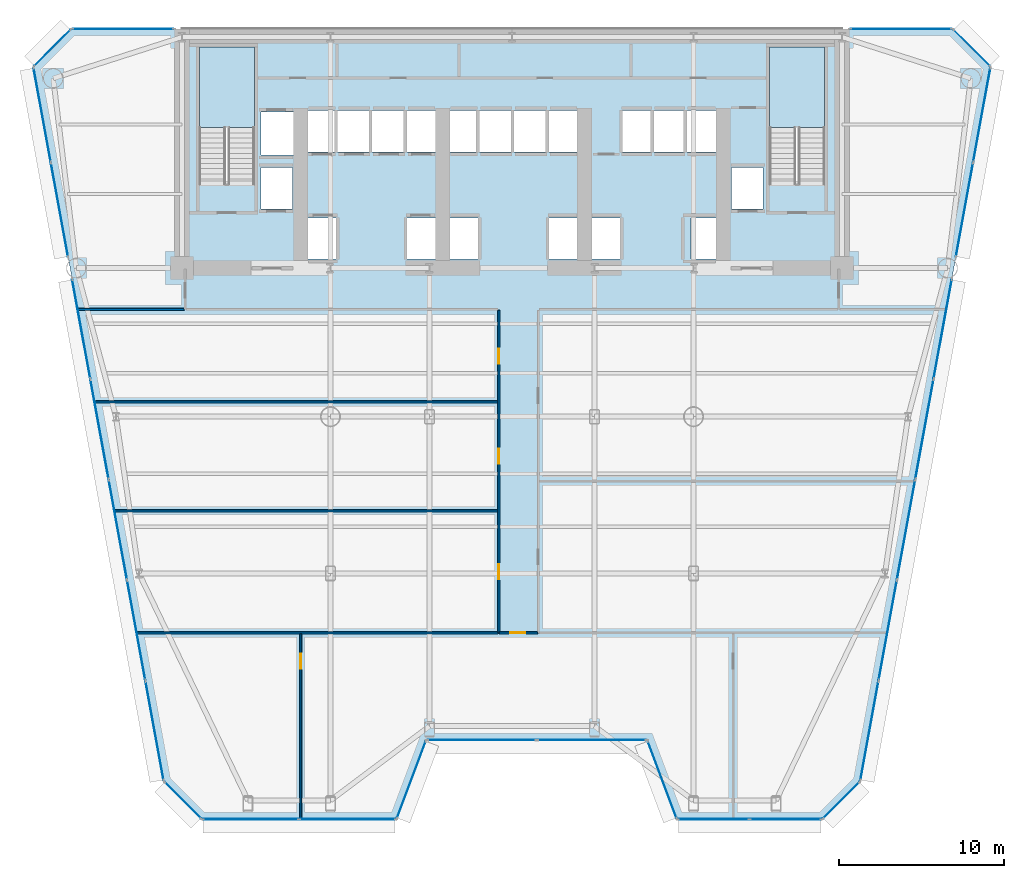
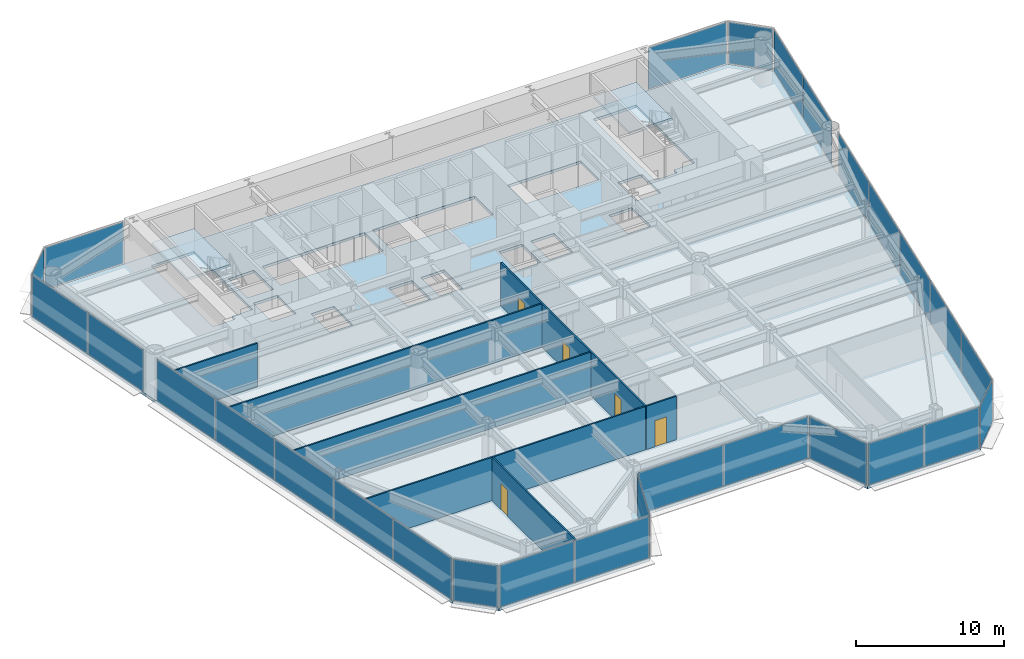
# One storey, part 7 of 14: 28 plates, 7 walls, 5 doors, 3 slabs, 5 openings, 17 elements without a shape of their own.
"""IFC4 building model written with IfcOpenShell, lengths in metres."""

from ifc_helpers import new_model, si_unit, direction, frame, frame_2d, origin, origin_2d, place, context, subcontext, project, spatial, polyline, rectangle, outline, extrude, source, transform, mapped, material, layer, layer_set, type_object, element, fill, aggregate, save


model = new_model("IFC4")

# Units and contexts
model_context = context("Model", 3, precision=1e-05, world=origin(), true_north=direction((0.0, 1.0)))
body_context = subcontext(model_context, "Body", "Model", "MODEL_VIEW")
ifc_project = project(units=[si_unit("LENGTHUNIT", "METRE"), si_unit("AREAUNIT", "SQUARE_METRE"), si_unit("VOLUMEUNIT", "CUBIC_METRE"), si_unit("PLANEANGLEUNIT", "RADIAN"), si_unit("MASSUNIT", "GRAM", prefix="KILO")], contexts=[model_context])

# Site, building, storey
site_placement = place(None, origin())
site = spatial("IfcSite", under=ifc_project, at=site_placement, CompositionType="ELEMENT")
building_placement = place(site_placement, origin())
building = spatial("IfcBuilding", under=site, at=building_placement, Name="Vaeldorn Concourse Tower", CompositionType="ELEMENT")
storey_placement = place(building_placement, frame((0.0, 0.0, 68.199951171875)))
storey = spatial("IfcBuildingStorey", under=building, at=storey_placement, Name="L17", CompositionType="ELEMENT", Elevation=68.199951171875)

# Stair, slab
ifc_material_1 = material(Name="Precast concrete C40/50", Category="concrete")
stair_type = type_object("IfcStairType", Name="STR-DOG-24x158", PredefinedType="HALF_TURN_STAIR", material=ifc_material_1)
stair_1_placement = place(storey_placement, origin())
stair_1 = element("IfcStair", 1, at=stair_1_placement, inside=storey, type_object=stair_type, Name="L17 West Core Exit Stair ST-1", PredefinedType="HALF_TURN_STAIR")
ifc_material_2 = material(Name="Concrete C40/50", Category="concrete")
ifc_layer_1 = layer(ifc_material_2, 0.199951171875)
ifc_layer_set_1 = layer_set([ifc_layer_1], Name="Concrete C40/50")
slab_type_1 = type_object("IfcSlabType", Name="SL-STAIR-LANDING", PredefinedType="LANDING", material=ifc_layer_set_1)
slab_1_placement = place(storey_placement, frame((0.0, 0.0, 1.699951171875)))
slab_1 = element("IfcSlab", 2, at=slab_1_placement, type_object=slab_type_1, Name="ST-1 landing 1", PredefinedType="LANDING", context=body_context, shape_type="SweptSolid", body=[
    extrude(outline(polyline([(18.39990234375, 45.010009765625), (18.39990234375, 49.89990234375), (15.050048828125, 49.89990234375), (15.050048828125, 45.010009765625), (18.39990234375, 45.010009765625)])), origin(), (0.0, 0.0, 1.0), 0.2001953125),
])
aggregate(stair_1, [slab_1])

stair_2_placement = place(storey_placement, origin())
stair_2 = element("IfcStair", 3, at=stair_2_placement, inside=storey, type_object=stair_type, Name="L17 East Core Exit Stair ST-2", PredefinedType="HALF_TURN_STAIR")
slab_2_placement = place(storey_placement, frame((0.0, 0.0, 1.699951171875)))
slab_2 = element("IfcSlab", 4, at=slab_2_placement, type_object=slab_type_1, Name="ST-2 landing 1", PredefinedType="LANDING", context=body_context, shape_type="SweptSolid", body=[
    extrude(outline(polyline([(52.949951171875, 45.010009765625), (52.949951171875, 49.89990234375), (49.60009765625, 49.89990234375), (49.60009765625, 45.010009765625), (52.949951171875, 45.010009765625)])), origin(), (0.0, 0.0, 1.0), 0.2001953125),
])
aggregate(stair_2, [slab_2])

# Slab
ifc_layer_2 = layer(ifc_material_2, 0.219970703125)
ifc_layer_set_2 = layer_set([ifc_layer_2], Name="Concrete C40/50")
slab_type_2 = type_object("IfcSlabType", Name="SL-TYP-220", PredefinedType="FLOOR", material=ifc_layer_set_2)
slab_3_placement = place(storey_placement, frame((0.0, 0.0, -0.219970703125)))
element("IfcSlab", 5, at=slab_3_placement, inside=storey, type_object=slab_type_2, Name="Structural Floor Slab L17", PredefinedType="FLOOR", context=body_context, shape_type="SweptSolid", body=[
    extrude(outline(polyline([(15.2021484375, 3.10791015625), (27.0, 3.10791015625), (28.800048828125, 7.907958984375), (42.199951171875, 7.907958984375), (44.0, 3.10791015625), (52.7978515625, 3.10791015625), (55.097900390625, 5.407958984375), (63.0, 48.699951171875), (60.699951171875, 51.0), (7.300048828125, 51.0), (5.0, 48.699951171875), (12.902099609375, 5.407958984375), (15.2021484375, 3.10791015625)]), holes=[polyline([(18.39990234375, 42.0), (18.39990234375, 49.89990234375), (15.050048828125, 49.89990234375), (15.050048828125, 41.60009765625), (16.800048828125, 41.60009765625), (16.800048828125, 42.0), (18.39990234375, 42.0)]), polyline([(52.949951171875, 42.0), (52.949951171875, 49.89990234375), (49.60009765625, 49.89990234375), (49.60009765625, 41.60009765625), (51.35009765625, 41.60009765625), (51.35009765625, 42.0), (52.949951171875, 42.0)]), polyline([(21.550048828125, 37.050048828125), (23.35009765625, 37.050048828125), (23.35009765625, 39.550048828125), (21.550048828125, 39.550048828125), (21.550048828125, 37.050048828125)]), polyline([(27.64990234375, 37.050048828125), (29.449951171875, 37.050048828125), (29.449951171875, 39.550048828125), (27.64990234375, 39.550048828125), (27.64990234375, 37.050048828125)]), polyline([(21.5, 43.550048828125), (29.5, 43.550048828125), (29.5, 46.050048828125), (21.5, 46.050048828125), (21.5, 43.550048828125)]), polyline([(30.14990234375, 37.050048828125), (31.949951171875, 37.050048828125), (31.949951171875, 39.550048828125), (30.14990234375, 39.550048828125), (30.14990234375, 37.050048828125)]), polyline([(36.25, 37.050048828125), (38.050048828125, 37.050048828125), (38.050048828125, 39.550048828125), (36.25, 39.550048828125), (36.25, 37.050048828125)]), polyline([(30.10009765625, 43.550048828125), (38.10009765625, 43.550048828125), (38.10009765625, 46.050048828125), (30.10009765625, 46.050048828125), (30.10009765625, 43.550048828125)]), polyline([(38.75, 37.050048828125), (40.550048828125, 37.050048828125), (40.550048828125, 39.550048828125), (38.75, 39.550048828125), (38.75, 37.050048828125)]), polyline([(44.85009765625, 37.050048828125), (46.64990234375, 37.050048828125), (46.64990234375, 39.550048828125), (44.85009765625, 39.550048828125), (44.85009765625, 37.050048828125)]), polyline([(40.699951171875, 43.550048828125), (46.39990234375, 43.550048828125), (46.39990234375, 46.050048828125), (40.699951171875, 46.050048828125), (40.699951171875, 43.550048828125)]), polyline([(18.800048828125, 43.35009765625), (20.800048828125, 43.35009765625), (20.800048828125, 45.949951171875), (18.800048828125, 45.949951171875), (18.800048828125, 43.35009765625)]), polyline([(18.800048828125, 40.10009765625), (20.699951171875, 40.10009765625), (20.699951171875, 42.60009765625), (18.800048828125, 42.60009765625), (18.800048828125, 40.10009765625)]), polyline([(47.300048828125, 40.10009765625), (49.199951171875, 40.10009765625), (49.199951171875, 42.60009765625), (47.300048828125, 42.60009765625), (47.300048828125, 40.10009765625)])]), origin(), (0.0, 0.0, 1.0), 0.219970703125),
])

# Curtain wall, plate
ifc_material_3 = material(Name="Anodised Bronze Aluminium", Category="aluminium")
ifc_layer_3 = layer(ifc_material_3, 0.219970703125)
ifc_layer_set_3 = layer_set([ifc_layer_3], Name="Anodised Bronze Aluminium")
curtain_wall_type = type_object("IfcCurtainWallType", Name="CW-SYS-01", PredefinedType="NOTDEFINED", material=ifc_layer_set_3)
curtain_wall_1_placement = place(storey_placement, origin())
curtain_wall_1 = element("IfcCurtainWall", 6, at=curtain_wall_1_placement, inside=storey, type_object=curtain_wall_type, Name="Unitised Curtain Wall CW-L17-E02-1", PredefinedType="NOTDEFINED")
ifc_material_4 = material(Name="Bronze Tinted Low-E Insulated Glass", Category="glass")
ifc_layer_4 = layer(ifc_material_4, 0.031982421875)
ifc_layer_set_4 = layer_set([ifc_layer_4], Name="Bronze Tinted Low-E Insulated Glass")
plate_type = type_object("IfcPlateType", Name="CWP-VISION-32", PredefinedType="CURTAIN_PANEL", material=ifc_layer_set_4)
shared_shape_1 = source(origin(), body_context, "Body", "SweptSolid", [
    extrude(rectangle(XDim=4.976318359375, YDim=0.031982421875, at=origin_2d()), origin(), (0.0, 0.0, 1.0), 3.429931640625),
])
plate_1_placement = place(storey_placement, frame((27.89990234375, 5.508056640625, 0.0751953125), z_axis=(0.0, 0.0, 1.0), x_axis=(0.351123441595, 0.936329177566, 0.0)))
plate_1 = element("IfcPlate", 7, at=plate_1_placement, type_object=plate_type, Name="CW-01 panel 1.1", PredefinedType="CURTAIN_PANEL", context=body_context, shape_type="MappedRepresentation", body=[
    mapped(shared_shape_1, transform((0.0, 0.0, 0.0), scale=1.0)),
])
aggregate(curtain_wall_1, [plate_1])

curtain_wall_2_placement = place(storey_placement, origin())
curtain_wall_2 = element("IfcCurtainWall", 8, at=curtain_wall_2_placement, inside=storey, type_object=curtain_wall_type, Name="Unitised Curtain Wall CW-L17-E04-1", PredefinedType="NOTDEFINED")
plate_2_placement = place(storey_placement, frame((43.10009765625, 5.508056640625, 0.0751953125), z_axis=(0.0, 0.0, 1.0), x_axis=(0.351123441595, -0.936329177566, 0.0)))
plate_2 = element("IfcPlate", 9, at=plate_2_placement, type_object=plate_type, Name="CW-01 panel 1.1", PredefinedType="CURTAIN_PANEL", context=body_context, shape_type="MappedRepresentation", body=[
    mapped(shared_shape_1, transform((0.0, 0.0, 0.0), scale=1.0)),
])
aggregate(curtain_wall_2, [plate_2])

# Curtain wall, plates
curtain_wall_3_placement = place(storey_placement, origin())
curtain_wall_3 = element("IfcCurtainWall", 10, at=curtain_wall_3_placement, inside=storey, type_object=curtain_wall_type, Name="Unitised Curtain Wall CW-L17-E03-1", PredefinedType="NOTDEFINED")
shared_shape_2 = source(origin(), body_context, "Body", "SweptSolid", [
    extrude(rectangle(XDim=6.58740234375, YDim=0.031982421875, at=origin_2d()), origin(), (0.0, 0.0, 1.0), 3.429931640625),
])
plate_3_placement = place(storey_placement, frame((32.168701171875, 7.907958984375, 0.0751953125), z_axis=(0.0, 0.0, 1.0), x_axis=(1.0, 0.0, 0.0)))
plate_3 = element("IfcPlate", 11, at=plate_3_placement, type_object=plate_type, Name="CW-01 panel 1.1", PredefinedType="CURTAIN_PANEL", context=body_context, shape_type="MappedRepresentation", body=[
    mapped(shared_shape_2, transform((0.0, 0.0, 0.0), scale=1.0)),
])
plate_4_placement = place(storey_placement, frame((38.831298828125, 7.907958984375, 0.0751953125), z_axis=(0.0, 0.0, 1.0), x_axis=(1.0, 0.0, 0.0)))
plate_4 = element("IfcPlate", 12, at=plate_4_placement, type_object=plate_type, Name="CW-01 panel 2.1", PredefinedType="CURTAIN_PANEL", context=body_context, shape_type="MappedRepresentation", body=[
    mapped(shared_shape_2, transform((0.0, 0.0, 0.0), scale=1.0)),
])
aggregate(curtain_wall_3, [plate_3, plate_4])

# Curtain wall, plate
curtain_wall_4_placement = place(storey_placement, origin())
curtain_wall_4 = element("IfcCurtainWall", 13, at=curtain_wall_4_placement, inside=storey, type_object=curtain_wall_type, Name="Unitised Curtain Wall CW-L17-E06-1", PredefinedType="NOTDEFINED")
shared_shape_3 = source(origin(), body_context, "Body", "SweptSolid", [
    extrude(rectangle(XDim=3.102783203125, YDim=0.031982421875, at=origin_2d()), origin(), (0.0, 0.0, 1.0), 3.429931640625),
])
plate_5_placement = place(storey_placement, frame((53.94775390625, 4.258056640625, 0.0751953125), z_axis=(0.0, 0.0, 1.0), x_axis=(0.707106781187, 0.707106781187, 0.0)))
plate_5 = element("IfcPlate", 14, at=plate_5_placement, type_object=plate_type, Name="CW-01 panel 1.1", PredefinedType="CURTAIN_PANEL", context=body_context, shape_type="MappedRepresentation", body=[
    mapped(shared_shape_3, transform((0.0, 0.0, 0.0), scale=1.0)),
])
aggregate(curtain_wall_4, [plate_5])

curtain_wall_5_placement = place(storey_placement, origin())
curtain_wall_5 = element("IfcCurtainWall", 15, at=curtain_wall_5_placement, inside=storey, type_object=curtain_wall_type, Name="Unitised Curtain Wall CW-L17-E08-1", PredefinedType="NOTDEFINED")
plate_6_placement = place(storey_placement, frame((61.85009765625, 49.85009765625, 0.0751953125), z_axis=(0.0, 0.0, 1.0), x_axis=(-0.707106781187, 0.707106781187, 0.0)))
plate_6 = element("IfcPlate", 16, at=plate_6_placement, type_object=plate_type, Name="CW-01 panel 1.1", PredefinedType="CURTAIN_PANEL", context=body_context, shape_type="MappedRepresentation", body=[
    mapped(shared_shape_3, transform((0.0, 0.0, 0.0), scale=1.0)),
])
aggregate(curtain_wall_5, [plate_6])

curtain_wall_6_placement = place(storey_placement, origin())
curtain_wall_6 = element("IfcCurtainWall", 17, at=curtain_wall_6_placement, inside=storey, type_object=curtain_wall_type, Name="Unitised Curtain Wall CW-L17-E10-1", PredefinedType="NOTDEFINED")
plate_7_placement = place(storey_placement, frame((6.14990234375, 49.85009765625, 0.0751953125), z_axis=(0.0, 0.0, 1.0), x_axis=(-0.707106781187, -0.707106781187, 0.0)))
plate_7 = element("IfcPlate", 18, at=plate_7_placement, type_object=plate_type, Name="CW-01 panel 1.1", PredefinedType="CURTAIN_PANEL", context=body_context, shape_type="MappedRepresentation", body=[
    mapped(shared_shape_3, transform((0.0, 0.0, 0.0), scale=1.0)),
])
aggregate(curtain_wall_6, [plate_7])

curtain_wall_7_placement = place(storey_placement, origin())
curtain_wall_7 = element("IfcCurtainWall", 19, at=curtain_wall_7_placement, inside=storey, type_object=curtain_wall_type, Name="Unitised Curtain Wall CW-L17-E12-1", PredefinedType="NOTDEFINED")
plate_8_placement = place(storey_placement, frame((14.05224609375, 4.258056640625, 0.0751953125), z_axis=(0.0, 0.0, 1.0), x_axis=(0.707106781187, -0.707106781187, 0.0)))
plate_8 = element("IfcPlate", 20, at=plate_8_placement, type_object=plate_type, Name="CW-01 panel 1.1", PredefinedType="CURTAIN_PANEL", context=body_context, shape_type="MappedRepresentation", body=[
    mapped(shared_shape_3, transform((0.0, 0.0, 0.0), scale=1.0)),
])
aggregate(curtain_wall_7, [plate_8])

curtain_wall_8_placement = place(storey_placement, origin())
curtain_wall_8 = element("IfcCurtainWall", 21, at=curtain_wall_8_placement, inside=storey, type_object=curtain_wall_type, Name="Unitised Curtain Wall CW-L17-E09-1", PredefinedType="NOTDEFINED")
shared_shape_4 = source(origin(), body_context, "Body", "SweptSolid", [
    extrude(rectangle(XDim=6.10498046875, YDim=0.031982421875, at=origin_2d()), origin(), (0.0, 0.0, 1.0), 3.429931640625),
])
plate_9_placement = place(storey_placement, frame((57.572509765625, 51.0, 0.0751953125), z_axis=(0.0, 0.0, 1.0), x_axis=(-1.0, 0.0, 0.0)))
plate_9 = element("IfcPlate", 22, at=plate_9_placement, type_object=plate_type, Name="CW-01 panel 1.1", PredefinedType="CURTAIN_PANEL", context=body_context, shape_type="MappedRepresentation", body=[
    mapped(shared_shape_4, transform((0.0, 0.0, 0.0), scale=1.0)),
])
aggregate(curtain_wall_8, [plate_9])

curtain_wall_9_placement = place(storey_placement, origin())
curtain_wall_9 = element("IfcCurtainWall", 23, at=curtain_wall_9_placement, inside=storey, type_object=curtain_wall_type, Name="Unitised Curtain Wall CW-L17-E09-2", PredefinedType="NOTDEFINED")
plate_10_placement = place(storey_placement, frame((10.427490234375, 51.0, 0.0751953125), z_axis=(0.0, 0.0, 1.0), x_axis=(-1.0, 0.0, 0.0)))
plate_10 = element("IfcPlate", 24, at=plate_10_placement, type_object=plate_type, Name="CW-01 panel 1.1", PredefinedType="CURTAIN_PANEL", context=body_context, shape_type="MappedRepresentation", body=[
    mapped(shared_shape_4, transform((0.0, 0.0, 0.0), scale=1.0)),
])
aggregate(curtain_wall_9, [plate_10])

# Curtain wall, plates
curtain_wall_10_placement = place(storey_placement, origin())
curtain_wall_10 = element("IfcCurtainWall", 25, at=curtain_wall_10_placement, inside=storey, type_object=curtain_wall_type, Name="Unitised Curtain Wall CW-L17-E07-2", PredefinedType="NOTDEFINED")
shared_shape_5 = source(origin(), body_context, "Body", "SweptSolid", [
    extrude(rectangle(XDim=5.7734375, YDim=0.031982421875, at=origin_2d()), origin(), (0.0, 0.0, 1.0), 3.429931640625),
])
plate_11_placement = place(storey_placement, frame((61.41796875, 40.032958984375, 0.0751953125), z_axis=(0.0, 0.0, 1.0), x_axis=(0.179564168232, 0.983746262756, 0.0)))
plate_11 = element("IfcPlate", 26, at=plate_11_placement, type_object=plate_type, Name="CW-01 panel 1.1", PredefinedType="CURTAIN_PANEL", context=body_context, shape_type="MappedRepresentation", body=[
    mapped(shared_shape_5, transform((0.0, 0.0, 0.0), scale=1.0)),
])
plate_12_placement = place(storey_placement, frame((62.46826171875, 45.786376953125, 0.0751953125), z_axis=(0.0, 0.0, 1.0), x_axis=(0.179564168232, 0.983746262756, 0.0)))
plate_12 = element("IfcPlate", 27, at=plate_12_placement, type_object=plate_type, Name="CW-01 panel 2.1", PredefinedType="CURTAIN_PANEL", context=body_context, shape_type="MappedRepresentation", body=[
    mapped(shared_shape_5, transform((0.0, 0.0, 0.0), scale=1.0)),
])
aggregate(curtain_wall_10, [plate_11, plate_12])

curtain_wall_11_placement = place(storey_placement, origin())
curtain_wall_11 = element("IfcCurtainWall", 28, at=curtain_wall_11_placement, inside=storey, type_object=curtain_wall_type, Name="Unitised Curtain Wall CW-L17-E11-1", PredefinedType="NOTDEFINED")
plate_13_placement = place(storey_placement, frame((5.53173828125, 45.786376953125, 0.0751953125), z_axis=(0.0, 0.0, 1.0), x_axis=(0.179564168232, -0.983746262756, 0.0)))
plate_13 = element("IfcPlate", 29, at=plate_13_placement, type_object=plate_type, Name="CW-01 panel 1.1", PredefinedType="CURTAIN_PANEL", context=body_context, shape_type="MappedRepresentation", body=[
    mapped(shared_shape_5, transform((0.0, 0.0, 0.0), scale=1.0)),
])
plate_14_placement = place(storey_placement, frame((6.58203125, 40.032958984375, 0.0751953125), z_axis=(0.0, 0.0, 1.0), x_axis=(0.179564168232, -0.983746262756, 0.0)))
plate_14 = element("IfcPlate", 30, at=plate_14_placement, type_object=plate_type, Name="CW-01 panel 2.1", PredefinedType="CURTAIN_PANEL", context=body_context, shape_type="MappedRepresentation", body=[
    mapped(shared_shape_5, transform((0.0, 0.0, 0.0), scale=1.0)),
])
aggregate(curtain_wall_11, [plate_13, plate_14])

curtain_wall_12_placement = place(storey_placement, origin())
curtain_wall_12 = element("IfcCurtainWall", 31, at=curtain_wall_12_placement, inside=storey, type_object=curtain_wall_type, Name="Unitised Curtain Wall CW-L17-E01-1", PredefinedType="NOTDEFINED")
shared_shape_6 = source(origin(), body_context, "Body", "SweptSolid", [
    extrude(rectangle(XDim=5.786376953125, YDim=0.031982421875, at=origin_2d()), origin(), (0.0, 0.0, 1.0), 3.429931640625),
])
plate_15_placement = place(storey_placement, frame((18.17041015625, 3.10791015625, 0.0751953125), z_axis=(0.0, 0.0, 1.0), x_axis=(1.0, 0.0, 0.0)))
plate_15 = element("IfcPlate", 32, at=plate_15_placement, type_object=plate_type, Name="CW-01 panel 1.1", PredefinedType="CURTAIN_PANEL", context=body_context, shape_type="MappedRepresentation", body=[
    mapped(shared_shape_6, transform((0.0, 0.0, 0.0), scale=1.0)),
])
plate_16_placement = place(storey_placement, frame((24.03173828125, 3.10791015625, 0.0751953125), z_axis=(0.0, 0.0, 1.0), x_axis=(1.0, 0.0, 0.0)))
plate_16 = element("IfcPlate", 33, at=plate_16_placement, type_object=plate_type, Name="CW-01 panel 2.1", PredefinedType="CURTAIN_PANEL", context=body_context, shape_type="MappedRepresentation", body=[
    mapped(shared_shape_6, transform((0.0, 0.0, 0.0), scale=1.0)),
])
aggregate(curtain_wall_12, [plate_15, plate_16])

curtain_wall_13_placement = place(storey_placement, origin())
curtain_wall_13 = element("IfcCurtainWall", 34, at=curtain_wall_13_placement, inside=storey, type_object=curtain_wall_type, Name="Unitised Curtain Wall CW-L17-E05-1", PredefinedType="NOTDEFINED")
shared_shape_7 = source(origin(), body_context, "Body", "SweptSolid", [
    extrude(rectangle(XDim=4.286376953125, YDim=0.031982421875, at=origin_2d()), origin(), (0.0, 0.0, 1.0), 3.429931640625),
])
plate_17_placement = place(storey_placement, frame((46.21826171875, 3.10791015625, 0.0751953125), z_axis=(0.0, 0.0, 1.0), x_axis=(1.0, 0.0, 0.0)))
plate_17 = element("IfcPlate", 35, at=plate_17_placement, type_object=plate_type, Name="CW-01 panel 1.1", PredefinedType="CURTAIN_PANEL", context=body_context, shape_type="MappedRepresentation", body=[
    mapped(shared_shape_7, transform((0.0, 0.0, 0.0), scale=1.0)),
])
plate_18_placement = place(storey_placement, frame((50.57958984375, 3.10791015625, 0.0751953125), z_axis=(0.0, 0.0, 1.0), x_axis=(1.0, 0.0, 0.0)))
plate_18 = element("IfcPlate", 36, at=plate_18_placement, type_object=plate_type, Name="CW-01 panel 2.1", PredefinedType="CURTAIN_PANEL", context=body_context, shape_type="MappedRepresentation", body=[
    mapped(shared_shape_7, transform((0.0, 0.0, 0.0), scale=1.0)),
])
aggregate(curtain_wall_13, [plate_17, plate_18])

curtain_wall_14_placement = place(storey_placement, origin())
curtain_wall_14 = element("IfcCurtainWall", 37, at=curtain_wall_14_placement, inside=storey, type_object=curtain_wall_type, Name="Unitised Curtain Wall CW-L17-E07-1", PredefinedType="NOTDEFINED")
shared_shape_8 = source(origin(), body_context, "Body", "SweptSolid", [
    extrude(rectangle(XDim=6.082763671875, YDim=0.031982421875, at=origin_2d()), origin(), (0.0, 0.0, 1.0), 3.429931640625),
])
plate_19_placement = place(storey_placement, frame((55.657470703125, 8.4736328125, 0.0751953125), z_axis=(0.0, 0.0, 1.0), x_axis=(0.179564941431, 0.983746121623, 0.0)))
plate_19 = element("IfcPlate", 38, at=plate_19_placement, type_object=plate_type, Name="CW-01 panel 1.1", PredefinedType="CURTAIN_PANEL", context=body_context, shape_type="MappedRepresentation", body=[
    mapped(shared_shape_8, transform((0.0, 0.0, 0.0), scale=1.0)),
])
plate_20_placement = place(storey_placement, frame((60.100341796875, 32.814697265625, 0.0751953125), z_axis=(0.0, 0.0, 1.0), x_axis=(0.179564941431, 0.983746121623, 0.0)))
plate_20 = element("IfcPlate", 39, at=plate_20_placement, type_object=plate_type, Name="CW-01 panel 5.1", PredefinedType="CURTAIN_PANEL", context=body_context, shape_type="MappedRepresentation", body=[
    mapped(shared_shape_8, transform((0.0, 0.0, 0.0), scale=1.0)),
])

curtain_wall_15_placement = place(storey_placement, origin())
curtain_wall_15 = element("IfcCurtainWall", 40, at=curtain_wall_15_placement, inside=storey, type_object=curtain_wall_type, Name="Unitised Curtain Wall CW-L17-E11-2", PredefinedType="NOTDEFINED")
plate_21_placement = place(storey_placement, frame((7.899658203125, 32.814697265625, 0.0751953125), z_axis=(0.0, 0.0, 1.0), x_axis=(0.179564941431, -0.983746121623, 0.0)))
plate_21 = element("IfcPlate", 41, at=plate_21_placement, type_object=plate_type, Name="CW-01 panel 1.1", PredefinedType="CURTAIN_PANEL", context=body_context, shape_type="MappedRepresentation", body=[
    mapped(shared_shape_8, transform((0.0, 0.0, 0.0), scale=1.0)),
])
plate_22_placement = place(storey_placement, frame((12.342529296875, 8.4736328125, 0.0751953125), z_axis=(0.0, 0.0, 1.0), x_axis=(0.179564941431, -0.983746121623, 0.0)))
plate_22 = element("IfcPlate", 42, at=plate_22_placement, type_object=plate_type, Name="CW-01 panel 5.1", PredefinedType="CURTAIN_PANEL", context=body_context, shape_type="MappedRepresentation", body=[
    mapped(shared_shape_8, transform((0.0, 0.0, 0.0), scale=1.0)),
])

# Plate
shared_shape_9 = source(origin(), body_context, "Body", "SweptSolid", [
    extrude(rectangle(XDim=6.1201171875, YDim=0.031982421875, at=origin_2d()), origin(), (0.0, 0.0, 1.0), 3.429931640625),
])
plate_23_placement = place(storey_placement, frame((56.766357421875, 14.5498046875, 0.0751953125), z_axis=(0.0, 0.0, 1.0), x_axis=(0.179564941431, 0.983746121623, 0.0)))
plate_23 = element("IfcPlate", 43, at=plate_23_placement, type_object=plate_type, Name="CW-01 panel 2.1", PredefinedType="CURTAIN_PANEL", context=body_context, shape_type="MappedRepresentation", body=[
    mapped(shared_shape_9, transform((0.0, 0.0, 0.0), scale=1.0)),
])

plate_24_placement = place(storey_placement, frame((57.87890625, 20.644287109375, 0.0751953125), z_axis=(0.0, 0.0, 1.0), x_axis=(0.179564941431, 0.983746121623, 0.0)))
plate_24 = element("IfcPlate", 44, at=plate_24_placement, type_object=plate_type, Name="CW-01 panel 3.1", PredefinedType="CURTAIN_PANEL", context=body_context, shape_type="MappedRepresentation", body=[
    mapped(shared_shape_9, transform((0.0, 0.0, 0.0), scale=1.0)),
])

plate_25_placement = place(storey_placement, frame((58.991455078125, 26.73876953125, 0.0751953125), z_axis=(0.0, 0.0, 1.0), x_axis=(0.179564941431, 0.983746121623, 0.0)))
plate_25 = element("IfcPlate", 45, at=plate_25_placement, type_object=plate_type, Name="CW-01 panel 4.1", PredefinedType="CURTAIN_PANEL", context=body_context, shape_type="MappedRepresentation", body=[
    mapped(shared_shape_9, transform((0.0, 0.0, 0.0), scale=1.0)),
])

aggregate(curtain_wall_14, [plate_19, plate_23, plate_24, plate_25, plate_20])

plate_26_placement = place(storey_placement, frame((9.008544921875, 26.73876953125, 0.0751953125), z_axis=(0.0, 0.0, 1.0), x_axis=(0.179564941431, -0.983746121623, 0.0)))
plate_26 = element("IfcPlate", 46, at=plate_26_placement, type_object=plate_type, Name="CW-01 panel 2.1", PredefinedType="CURTAIN_PANEL", context=body_context, shape_type="MappedRepresentation", body=[
    mapped(shared_shape_9, transform((0.0, 0.0, 0.0), scale=1.0)),
])

plate_27_placement = place(storey_placement, frame((10.12109375, 20.644287109375, 0.0751953125), z_axis=(0.0, 0.0, 1.0), x_axis=(0.179564941431, -0.983746121623, 0.0)))
plate_27 = element("IfcPlate", 47, at=plate_27_placement, type_object=plate_type, Name="CW-01 panel 3.1", PredefinedType="CURTAIN_PANEL", context=body_context, shape_type="MappedRepresentation", body=[
    mapped(shared_shape_9, transform((0.0, 0.0, 0.0), scale=1.0)),
])

plate_28_placement = place(storey_placement, frame((11.233642578125, 14.5498046875, 0.0751953125), z_axis=(0.0, 0.0, 1.0), x_axis=(0.179564941431, -0.983746121623, 0.0)))
plate_28 = element("IfcPlate", 48, at=plate_28_placement, type_object=plate_type, Name="CW-01 panel 4.1", PredefinedType="CURTAIN_PANEL", context=body_context, shape_type="MappedRepresentation", body=[
    mapped(shared_shape_9, transform((0.0, 0.0, 0.0), scale=1.0)),
])

aggregate(curtain_wall_15, [plate_21, plate_26, plate_27, plate_28, plate_22])

# Wall, openings, doors
ifc_material_5 = material(Name="Gypsum Board Partition", Category="gypsum")
ifc_layer_5 = layer(ifc_material_5, 0.1201171875)
ifc_layer_set_5 = layer_set([ifc_layer_5], Name="Gypsum Board Partition")
wall_type = type_object("IfcWallType", Name="WL-PART-120", PredefinedType="PARTITIONING", material=ifc_layer_set_5)
wall_1_placement = place(storey_placement, frame((33.199951171875, 14.39990234375, 0.0), z_axis=(0.0, 0.0, 1.0), x_axis=(0.0, 1.0, 0.0)))
wall_1 = element("IfcWall", 49, at=wall_1_placement, inside=storey, type_object=wall_type, Name="Interior Wall PW-L17-CSPW", PredefinedType="PARTITIONING", context=body_context, shape_type="SweptSolid", body=[
    extrude(rectangle(XDim=19.5400390625, YDim=0.1201171875, at=frame_2d((9.77001953125, 0.0))), origin(), (0.0, 0.0, 1.0), 3.580078125),
])
opening_1_placement = place(wall_1_placement, frame((3.25, 0.0, 0.0)))
opening_1 = element("IfcOpeningElement", 50, at=opening_1_placement, cuts=wall_1, Name="Opening D-03", PredefinedType="OPENING", context=body_context, shape_type="SweptSolid", body=[
    extrude(rectangle(XDim=0.89990234375, YDim=2.14990234375, at=frame_2d((0.449951171875, 1.074951171875))), frame((0.0, 0.070068359375, 0.0), z_axis=(0.0, -1.0, 0.0), x_axis=(1.0, 0.0, 0.0)), (0.0, 0.0, 1.0), 0.14013671875),
])
opening_2_placement = place(wall_1_placement, frame((10.25, 0.0, 0.0)))
opening_2 = element("IfcOpeningElement", 51, at=opening_2_placement, cuts=wall_1, Name="Opening D-03", PredefinedType="OPENING", context=body_context, shape_type="SweptSolid", body=[
    extrude(rectangle(XDim=0.89990234375, YDim=2.14990234375, at=frame_2d((0.449951171875, 1.074951171875))), frame((0.0, 0.070068359375, 0.0), z_axis=(0.0, -1.0, 0.0), x_axis=(1.0, 0.0, 0.0)), (0.0, 0.0, 1.0), 0.14013671875),
])
opening_3_placement = place(wall_1_placement, frame((16.320068359375, 0.0, 0.0)))
opening_3 = element("IfcOpeningElement", 52, at=opening_3_placement, cuts=wall_1, Name="Opening D-03", PredefinedType="OPENING", context=body_context, shape_type="SweptSolid", body=[
    extrude(rectangle(XDim=0.89990234375, YDim=2.14990234375, at=frame_2d((0.449951171875, 1.074951171875))), frame((0.0, 0.070068359375, 0.0), z_axis=(0.0, -1.0, 0.0), x_axis=(1.0, 0.0, 0.0)), (0.0, 0.0, 1.0), 0.14013671875),
])
ifc_material_6 = material(Name="Acoustic Bronze-Framed Glass Door", Category="glass")
door_type = type_object("IfcDoorType", Name="DR-INT-900", OperationType="NOTDEFINED", PredefinedType="DOOR", material=ifc_material_6)
shared_shape_10 = source(origin(), body_context, "Body", "SweptSolid", [
    extrude(rectangle(XDim=0.89990234375, YDim=2.14990234375, at=frame_2d((0.449951171875, 1.074951171875))), frame((0.0, 0.02490234375, 0.0), z_axis=(0.0, -1.0, 0.0), x_axis=(1.0, 0.0, 0.0)), (0.0, 0.0, 1.0), 0.050048828125),
])
door_1_placement = place(opening_1_placement, origin())
door_1 = element("IfcDoor", 53, at=door_1_placement, inside=storey, type_object=door_type, Name="Interior Door DR-L17-Z3W1", OperationType="SINGLE_SWING_LEFT", OverallHeight=2.14990234375, OverallWidth=0.89990234375, PredefinedType="DOOR", context=body_context, shape_type="MappedRepresentation", body=[
    mapped(shared_shape_10, transform((0.0, 0.0, 0.0), scale=1.0)),
])
fill(opening_1, door_1)
door_2_placement = place(opening_2_placement, origin())
door_2 = element("IfcDoor", 54, at=door_2_placement, inside=storey, type_object=door_type, Name="Interior Door DR-L17-Z3W2", OperationType="SINGLE_SWING_RIGHT", OverallHeight=2.14990234375, OverallWidth=0.89990234375, PredefinedType="DOOR", context=body_context, shape_type="MappedRepresentation", body=[
    mapped(shared_shape_10, transform((0.0, 0.0, 0.0), scale=1.0)),
])
fill(opening_2, door_2)
door_3_placement = place(opening_3_placement, origin())
door_3 = element("IfcDoor", 55, at=door_3_placement, inside=storey, type_object=door_type, Name="Interior Door DR-L17-Z3W3", OperationType="SINGLE_SWING_LEFT", OverallHeight=2.14990234375, OverallWidth=0.89990234375, PredefinedType="DOOR", context=body_context, shape_type="MappedRepresentation", body=[
    mapped(shared_shape_10, transform((0.0, 0.0, 0.0), scale=1.0)),
])
fill(opening_3, door_3)

# Wall, opening, door
wall_2_placement = place(storey_placement, frame((33.239990234375, 14.39990234375, 0.0), z_axis=(0.0, 0.0, 1.0), x_axis=(1.0, 0.0, 0.0)))
wall_2 = element("IfcWall", 56, at=wall_2_placement, inside=storey, type_object=wall_type, Name="Interior Wall PW-L17-CSPS", PredefinedType="PARTITIONING", context=body_context, shape_type="SweptSolid", body=[
    extrude(rectangle(XDim=2.320068359375, YDim=0.1201171875, at=frame_2d((1.16015625, 0.0))), origin(), (0.0, 0.0, 1.0), 3.580078125),
])
opening_4_placement = place(wall_2_placement, frame((0.64990234375, 0.0, 0.0)))
opening_4 = element("IfcOpeningElement", 57, at=opening_4_placement, cuts=wall_2, Name="Opening D-03", PredefinedType="OPENING", context=body_context, shape_type="SweptSolid", body=[
    extrude(rectangle(XDim=0.89990234375, YDim=2.14990234375, at=frame_2d((0.449951171875, 1.074951171875))), frame((0.0, 0.070068359375, 0.0), z_axis=(0.0, -1.0, 0.0), x_axis=(1.0, 0.0, 0.0)), (0.0, 0.0, 1.0), 0.14013671875),
])
door_4_placement = place(opening_4_placement, origin())
door_4 = element("IfcDoor", 58, at=door_4_placement, inside=storey, type_object=door_type, Name="Interior Door DR-L17-Z3SM", OperationType="SINGLE_SWING_LEFT", OverallHeight=2.14990234375, OverallWidth=0.89990234375, PredefinedType="DOOR", context=body_context, shape_type="MappedRepresentation", body=[
    mapped(shared_shape_10, transform((0.0, 0.0, 0.0), scale=1.0)),
])
fill(opening_4, door_4)

# Walls
wall_3_placement = place(storey_placement, frame((7.72314453125, 34.0, 0.0), z_axis=(0.0, 0.0, 1.0), x_axis=(1.0, 0.0, 0.0)))
element("IfcWall", 59, at=wall_3_placement, inside=storey, type_object=wall_type, Name="Interior Wall PW-L17-Z3NWB", PredefinedType="PARTITIONING", context=body_context, shape_type="SweptSolid", body=[
    extrude(rectangle(XDim=6.416748046875, YDim=0.1201171875, at=frame_2d((3.20849609375, 0.0))), origin(), (0.0, 0.0, 1.0), 3.580078125),
])
wall_4_placement = place(storey_placement, frame((9.9501953125, 21.800048828125, 0.0), z_axis=(0.0, 0.0, 1.0), x_axis=(1.0, 0.0, 0.0)))
element("IfcWall", 60, at=wall_4_placement, inside=storey, type_object=wall_type, Name="Interior Wall PW-L17-Z3WY1", PredefinedType="PARTITIONING", context=body_context, shape_type="SweptSolid", body=[
    extrude(rectangle(XDim=23.189697265625, YDim=0.1201171875, at=frame_2d((11.5947265625, 0.0))), origin(), (0.0, 0.0, 1.0), 3.580078125),
])
wall_5_placement = place(storey_placement, frame((8.745361328125, 28.39990234375, 0.0), z_axis=(0.0, 0.0, 1.0), x_axis=(1.0, 0.0, 0.0)))
element("IfcWall", 61, at=wall_5_placement, inside=storey, type_object=wall_type, Name="Interior Wall PW-L17-Z3WY2", PredefinedType="PARTITIONING", context=body_context, shape_type="SweptSolid", body=[
    extrude(rectangle(XDim=24.39453125, YDim=0.1201171875, at=frame_2d((12.197265625, 0.0))), origin(), (0.0, 0.0, 1.0), 3.580078125),
])
wall_6_placement = place(storey_placement, frame((11.30078125, 14.39990234375, 0.0), z_axis=(0.0, 0.0, 1.0), x_axis=(1.0, 0.0, 0.0)))
element("IfcWall", 62, at=wall_6_placement, inside=storey, type_object=wall_type, Name="Interior Wall PW-L17-Z3SWL", PredefinedType="PARTITIONING", context=body_context, shape_type="SweptSolid", body=[
    extrude(rectangle(XDim=21.839111328125, YDim=0.1201171875, at=frame_2d((10.91943359375, 0.0))), origin(), (0.0, 0.0, 1.0), 3.580078125),
])

# Wall, opening, door
wall_7_placement = place(storey_placement, frame((21.199951171875, 3.14794921875, 0.0), z_axis=(0.0, 0.0, 1.0), x_axis=(0.0, 1.0, 0.0)))
wall_7 = element("IfcWall", 63, at=wall_7_placement, inside=storey, type_object=wall_type, Name="Interior Wall PW-L17-Z3SX1", PredefinedType="PARTITIONING", context=body_context, shape_type="SweptSolid", body=[
    extrude(rectangle(XDim=11.192138671875, YDim=0.1201171875, at=frame_2d((5.59619140625, 0.0))), origin(), (0.0, 0.0, 1.0), 3.580078125),
])
opening_5_placement = place(wall_7_placement, frame((9.092041015625, 0.0, 0.0)))
opening_5 = element("IfcOpeningElement", 64, at=opening_5_placement, cuts=wall_7, Name="Opening D-03", PredefinedType="OPENING", context=body_context, shape_type="SweptSolid", body=[
    extrude(rectangle(XDim=0.89990234375, YDim=2.14990234375, at=frame_2d((0.449951171875, 1.074951171875))), frame((0.0, 0.070068359375, 0.0), z_axis=(0.0, -1.0, 0.0), x_axis=(1.0, 0.0, 0.0)), (0.0, 0.0, 1.0), 0.14013671875),
])
door_5_placement = place(opening_5_placement, origin())
door_5 = element("IfcDoor", 65, at=door_5_placement, inside=storey, type_object=door_type, Name="Interior Door DR-L17-Z3SX1", OperationType="SINGLE_SWING_RIGHT", OverallHeight=2.14990234375, OverallWidth=0.89990234375, PredefinedType="DOOR", context=body_context, shape_type="MappedRepresentation", body=[
    mapped(shared_shape_10, transform((0.0, 0.0, 0.0), scale=1.0)),
])
fill(opening_5, door_5)

save(model, "model.ifc")
